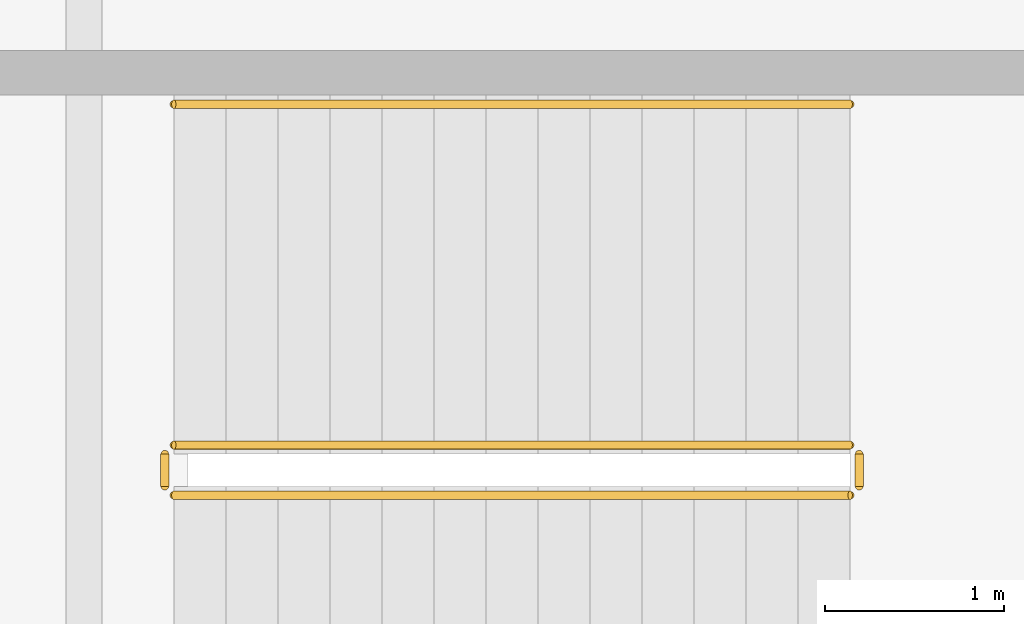
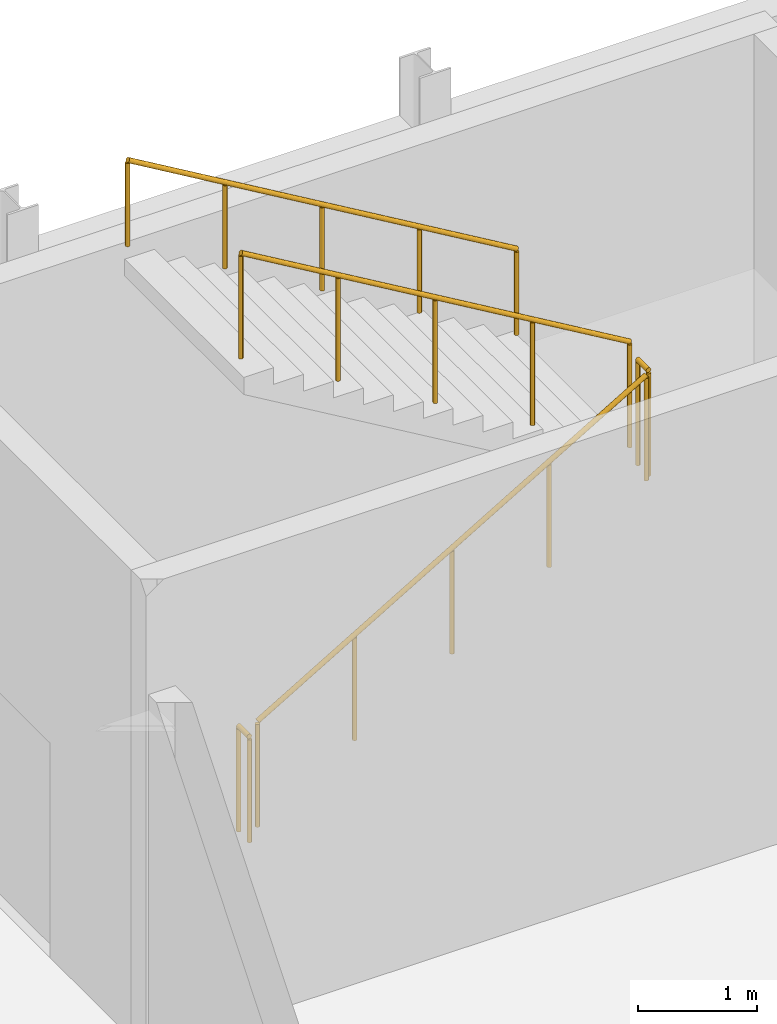
# One storey, part 143 of 143: 5 railings.
"""IFC4 building model written with IfcOpenShell, lengths in metres."""

from ifc_helpers import new_model, si_unit, derived_unit, direction, frame, origin, origin_2d, place, context, subcontext, project, spatial, circle, extrude, material, type_object, element, save


model = new_model("IFC4")

# Units and contexts
model_context = context("Model", 3, precision=1e-05, world=origin(), true_north=direction((0.0, 1.0)))
body_context = subcontext(model_context, "Body", "Model", "MODEL_VIEW")
ifc_project = project(units=[si_unit("LENGTHUNIT", "METRE"), si_unit("AREAUNIT", "SQUARE_METRE"), si_unit("VOLUMEUNIT", "CUBIC_METRE"), si_unit("PLANEANGLEUNIT", "RADIAN"), si_unit("MASSUNIT", "GRAM", prefix="KILO"), derived_unit("THERMALTRANSMITTANCEUNIT", [(si_unit("POWERUNIT", "WATT"), 1), (si_unit("LENGTHUNIT", "METRE"), -2), (si_unit("THERMODYNAMICTEMPERATUREUNIT", "KELVIN"), -1)])], contexts=[model_context])

# Site, building, storey
site_placement = place(None, origin())
site = spatial("IfcSite", under=ifc_project, at=site_placement, CompositionType="ELEMENT")
building_placement = place(site_placement, origin())
building = spatial("IfcBuilding", under=site, at=building_placement, Name="Keldorne Ridge Multi-Sports Centre", CompositionType="ELEMENT")
storey_placement = place(building_placement, frame((0.0, 0.0, 4.800048828125)))
storey = spatial("IfcBuildingStorey", under=building, at=storey_placement, Name="L01", CompositionType="ELEMENT", Elevation=4.800048828125)

# Railings
ifc_material_1 = material(Name="Laminated glass and stainless steel", Category="steel")
railing_type_1 = type_object("IfcRailingType", Name="RLG-BL-01", PredefinedType="BALUSTRADE", material=ifc_material_1)
railing_1_placement = place(storey_placement, frame((144.5, 113.75, 0.17138671875)))
element("IfcRailing", 1, at=railing_1_placement, inside=storey, type_object=railing_type_1, Name="L01 ST-03 stair guard 1", PredefinedType="BALUSTRADE", context=body_context, shape_type="SweptSolid", body=[
    extrude(circle(Radius=0.02392578125, at=origin_2d()), frame((0.0, 0.0, 1.076171875), z_axis=(0.860848830602, 0.0, 0.508860777473), x_axis=(0.0, 1.0, 0.0)), (0.0, 0.0, 1.0), 4.37939453125),
    extrude(circle(Radius=0.02099609375, at=origin_2d()), origin(), (0.0, 0.0, 1.0), 1.052001953125),
    extrude(circle(Radius=0.02099609375, at=origin_2d()), frame((0.9423828125, 0.0, 0.55712890625)), (0.0, 0.0, 1.0), 1.052001953125),
    extrude(circle(Radius=0.02099609375, at=origin_2d()), frame((1.885009765625, 0.0, 1.1142578125)), (0.0, 0.0, 1.0), 1.052001953125),
    extrude(circle(Radius=0.02099609375, at=origin_2d()), frame((2.82763671875, 0.0, 1.67138671875)), (0.0, 0.0, 1.0), 1.052001953125),
    extrude(circle(Radius=0.02099609375, at=origin_2d()), frame((3.77001953125, 0.0, 2.228515625)), (0.0, 0.0, 1.0), 1.052001953125),
])
railing_2_placement = place(storey_placement, frame((148.320068359375, 113.800048828125, 2.39990234375)))
element("IfcRailing", 2, at=railing_2_placement, inside=storey, type_object=railing_type_1, Name="L01 ST-03 stair guard 2", PredefinedType="BALUSTRADE", context=body_context, shape_type="SweptSolid", body=[
    extrude(circle(Radius=0.02392578125, at=origin_2d()), frame((0.0, 0.0, 1.076171875), z_axis=(0.0, 1.0, 0.0), x_axis=(-1.0, 0.0, 0.0)), (0.0, 0.0, 1.0), 0.179931640625),
    extrude(circle(Radius=0.02099609375, at=origin_2d()), origin(), (0.0, 0.0, 1.0), 1.052001953125),
    extrude(circle(Radius=0.02099609375, at=origin_2d()), frame((0.0, 0.179931640625, 0.0)), (0.0, 0.0, 1.0), 1.052001953125),
])
railing_3_placement = place(storey_placement, frame((148.27001953125, 114.030029296875, 2.5712890625)))
element("IfcRailing", 3, at=railing_3_placement, inside=storey, type_object=railing_type_1, Name="L01 ST-03 stair guard 3", PredefinedType="BALUSTRADE", context=body_context, shape_type="SweptSolid", body=[
    extrude(circle(Radius=0.02392578125, at=origin_2d()), frame((0.0, 0.0, 1.076171875), z_axis=(-0.860824410104, 0.0, 0.508902087802), x_axis=(0.0, -1.0, 0.0)), (0.0, 0.0, 1.0), 4.379638671875),
    extrude(circle(Radius=0.02099609375, at=origin_2d()), origin(), (0.0, 0.0, 1.0), 1.052001953125),
    extrude(circle(Radius=0.02099609375, at=origin_2d()), frame((-0.9423828125, 0.0, 0.55712890625)), (0.0, 0.0, 1.0), 1.052001953125),
    extrude(circle(Radius=0.02099609375, at=origin_2d()), frame((-1.885009765625, 0.0, 1.1142578125)), (0.0, 0.0, 1.0), 1.052001953125),
    extrude(circle(Radius=0.02099609375, at=origin_2d()), frame((-2.82763671875, 0.0, 1.671630859375)), (0.0, 0.0, 1.0), 1.052001953125),
    extrude(circle(Radius=0.02099609375, at=origin_2d()), frame((-3.77001953125, 0.0, 2.228759765625)), (0.0, 0.0, 1.0), 1.052001953125),
])
railing_4_placement = place(storey_placement, frame((144.449951171875, 113.800048828125, 0.0)))
element("IfcRailing", 4, at=railing_4_placement, inside=storey, type_object=railing_type_1, Name="L01 ST-03 stair guard 4", PredefinedType="BALUSTRADE", context=body_context, shape_type="SweptSolid", body=[
    extrude(circle(Radius=0.02392578125, at=origin_2d()), frame((0.0, 0.0, 1.076171875), z_axis=(0.0, 1.0, 0.0), x_axis=(-1.0, 0.0, 0.0)), (0.0, 0.0, 1.0), 0.179931640625),
    extrude(circle(Radius=0.02099609375, at=origin_2d()), origin(), (0.0, 0.0, 1.0), 1.052001953125),
    extrude(circle(Radius=0.02099609375, at=origin_2d()), frame((0.0, 0.179931640625, 0.0)), (0.0, 0.0, 1.0), 1.052001953125),
])
ifc_material_2 = material(Name="Stainless steel", Category="steel")
railing_type_2 = type_object("IfcRailingType", Name="RLG-HR-01", PredefinedType="HANDRAIL", material=ifc_material_2)
railing_5_placement = place(storey_placement, frame((148.27001953125, 115.929931640625, 2.5712890625)))
element("IfcRailing", 5, at=railing_5_placement, inside=storey, type_object=railing_type_2, Name="L01 ST-03 stair handrail 2", PredefinedType="HANDRAIL", context=body_context, shape_type="SweptSolid", body=[
    extrude(circle(Radius=0.02392578125, at=origin_2d()), frame((0.0, 0.0, 0.8759765625), z_axis=(-0.860824410104, 0.0, 0.508902087802), x_axis=(0.0, -1.0, 0.0)), (0.0, 0.0, 1.0), 4.379638671875),
    extrude(circle(Radius=0.02099609375, at=origin_2d()), origin(), (0.0, 0.0, 1.0), 0.851806640625),
    extrude(circle(Radius=0.02099609375, at=origin_2d()), frame((-0.9423828125, 0.0, 0.55712890625)), (0.0, 0.0, 1.0), 0.851806640625),
    extrude(circle(Radius=0.02099609375, at=origin_2d()), frame((-1.885009765625, 0.0, 1.1142578125)), (0.0, 0.0, 1.0), 0.851806640625),
    extrude(circle(Radius=0.02099609375, at=origin_2d()), frame((-2.82763671875, 0.0, 1.671630859375)), (0.0, 0.0, 1.0), 0.851806640625),
    extrude(circle(Radius=0.02099609375, at=origin_2d()), frame((-3.77001953125, 0.0, 2.228759765625)), (0.0, 0.0, 1.0), 0.851806640625),
])

save(model, "model.ifc")
